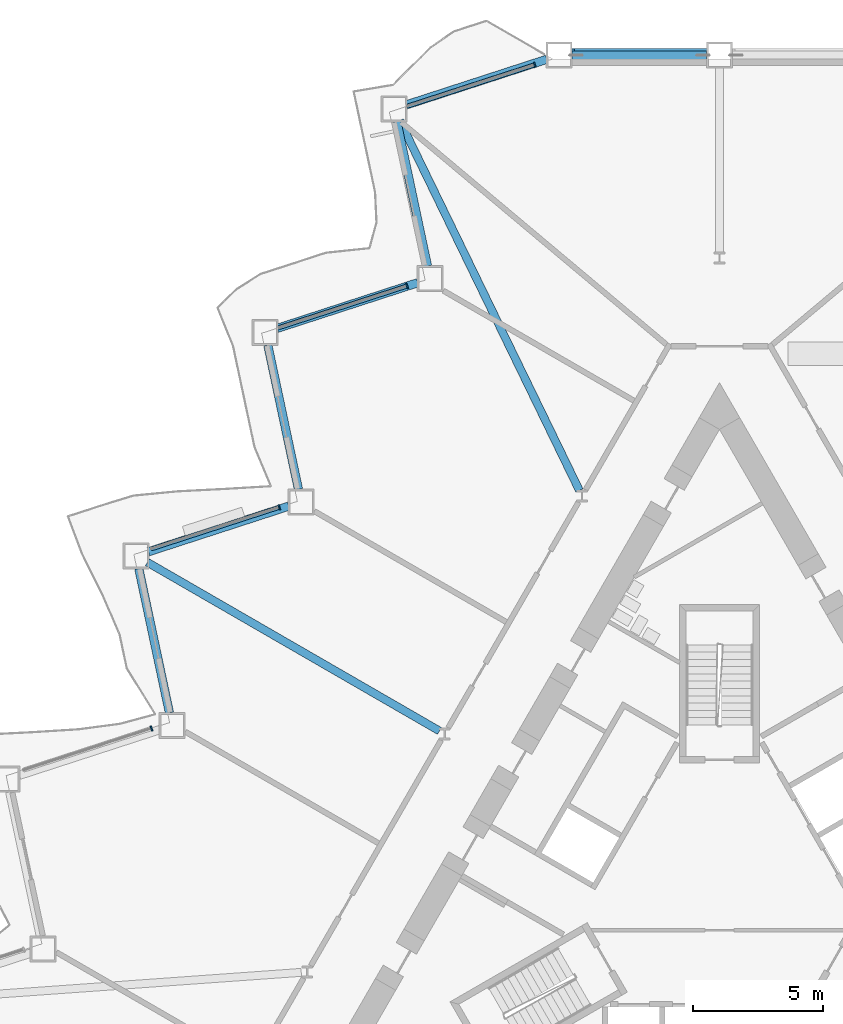
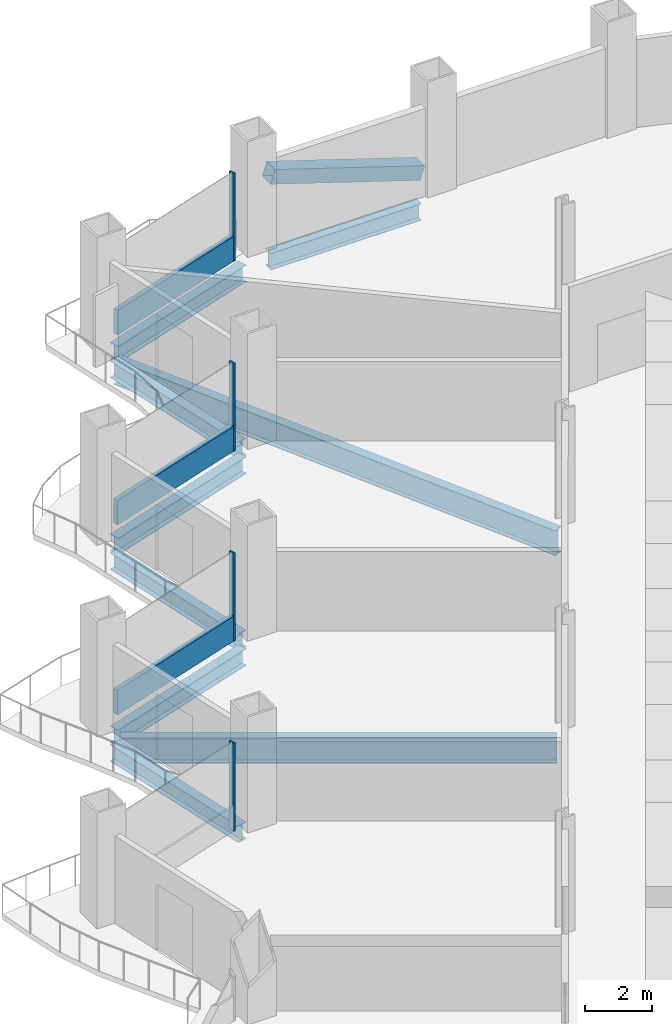
# One storey, part 6 of 21: 9 beams, 8 members, 4 elements without a shape of their own.
"""IFC4 building model written with IfcOpenShell, lengths in metres."""

from ifc_helpers import new_model, si_unit, direction, frame, origin, origin_2d, place, context, subcontext, project, spatial, rectangle, hollow_rectangle, i_section, extrude, material, layer, layer_set, material_profile, profile_set, type_object, element, aggregate, save


model = new_model("IFC4")

# Units and contexts
model_context = context("Model", 3, precision=1e-05, world=origin(), true_north=direction((0.0, 1.0)))
body_context = subcontext(model_context, "Body", "Model", "MODEL_VIEW")
ifc_project = project(units=[si_unit("LENGTHUNIT", "METRE"), si_unit("AREAUNIT", "SQUARE_METRE"), si_unit("VOLUMEUNIT", "CUBIC_METRE"), si_unit("PLANEANGLEUNIT", "RADIAN"), si_unit("MASSUNIT", "GRAM", prefix="KILO")], contexts=[model_context])

# Site, building, storey
site_placement = place(None, origin())
site = spatial("IfcSite", under=ifc_project, at=site_placement, CompositionType="ELEMENT")
building_placement = place(site_placement, origin())
building = spatial("IfcBuilding", under=site, at=building_placement, Name="Cormorant Prow Tower", CompositionType="ELEMENT")
storey_placement = place(building_placement, frame((0.0, 0.0, 67.800048828125)))
storey = spatial("IfcBuildingStorey", under=building, at=storey_placement, Name="L14", CompositionType="ELEMENT", Elevation=67.800048828125)

# Member
ifc_material_1 = material(Name="Structural steel ASTM A500 Gr C", Category="steel")
ifc_material_profile_1 = material_profile(ifc_material_1, hollow_rectangle(XDim=0.508056640625, YDim=0.508056640625, WallThickness=0.014892578125, at=origin_2d()), Name="HSS20x20x5/8")
ifc_profile_set_1 = profile_set([ifc_material_profile_1], Name="Structural steel ASTM A500 Gr C")
member_type_1 = type_object("IfcMemberType", Name="Chamfer brace HSS20x20x5/8", PredefinedType="BRACE", material=ifc_profile_set_1)
member_1_placement = place(storey_placement, frame((-0.518798828125, 32.233642578125, 0.76708984375), z_axis=(-0.951761092368, 0.0, 0.306840061033), x_axis=(0.0, -1.0, 0.0)))
element("IfcMember", 1, at=member_1_placement, inside=storey, type_object=member_type_1, Name="Chamfer brace BR1 at N01 L14", PredefinedType="BRACE", context=body_context, shape_type="SweptSolid", body=[
    extrude(hollow_rectangle(XDim=0.508056640625, YDim=0.508056640625, WallThickness=0.014892578125, at=origin_2d()), origin(), (0.0, 0.0, 1.0), 5.39208984375),
])

# Curtain wall, member
ifc_material_2 = material(Name="Aluminium 6063-T6", Category="aluminium")
ifc_layer = layer(ifc_material_2, 0.199951171875)
ifc_layer_set = layer_set([ifc_layer], Name="Aluminium 6063-T6")
curtain_wall_type = type_object("IfcCurtainWallType", Name="Office unitised curtain wall 200", PredefinedType="NOTDEFINED", material=ifc_layer_set)
curtain_wall_1_placement = place(storey_placement, origin())
curtain_wall_1 = element("IfcCurtainWall", 2, at=curtain_wall_1_placement, inside=storey, type_object=curtain_wall_type, Name="Office curtain wall WNW00", PredefinedType="NOTDEFINED")
ifc_material_3 = material(Name="Aluminium 6063-T6", Category="aluminium")
ifc_material_profile_2 = material_profile(ifc_material_3, rectangle(XDim=0.199951171875, YDim=0.06005859375, at=origin_2d()), Name="Office mullion 60x200")
ifc_profile_set_2 = profile_set([ifc_material_profile_2], Name="Aluminium 6063-T6")
member_type_2 = type_object("IfcMemberType", Name="Office mullion 60x200", PredefinedType="MULLION", material=ifc_profile_set_2)
member_2_placement = place(storey_placement, frame((-7.112060546875, 31.865478515625, 0.0), z_axis=(0.0, 0.0, 1.0), x_axis=(0.309016946636, -0.951056531806, 0.0)))
member_2 = element("IfcMember", 3, at=member_2_placement, type_object=member_type_2, Name="Office mullion WNW00", PredefinedType="MULLION", context=body_context, shape_type="SweptSolid", body=[
    extrude(rectangle(XDim=0.199951171875, YDim=0.06005859375, at=origin_2d()), origin(), (0.0, 0.0, 1.0), 3.18896484375),
])

curtain_wall_2_placement = place(storey_placement, origin())
curtain_wall_2 = element("IfcCurtainWall", 4, at=curtain_wall_2_placement, inside=storey, type_object=curtain_wall_type, Name="Office curtain wall WNW02", PredefinedType="NOTDEFINED")
member_3_placement = place(storey_placement, frame((-12.029052734375, 23.34912109375, 0.0), z_axis=(0.0, 0.0, 1.0), x_axis=(0.309016946636, -0.951056531806, 0.0)))
member_3 = element("IfcMember", 5, at=member_3_placement, type_object=member_type_2, Name="Office mullion WNW02", PredefinedType="MULLION", context=body_context, shape_type="SweptSolid", body=[
    extrude(rectangle(XDim=0.199951171875, YDim=0.06005859375, at=origin_2d()), origin(), (0.0, 0.0, 1.0), 3.18896484375),
])

curtain_wall_3_placement = place(storey_placement, origin())
curtain_wall_3 = element("IfcCurtainWall", 6, at=curtain_wall_3_placement, inside=storey, type_object=curtain_wall_type, Name="Office curtain wall WNW04", PredefinedType="NOTDEFINED")
member_4_placement = place(storey_placement, frame((-16.946044921875, 14.83251953125, 0.0), z_axis=(0.0, 0.0, 1.0), x_axis=(0.309016946636, -0.951056531806, 0.0)))
member_4 = element("IfcMember", 7, at=member_4_placement, type_object=member_type_2, Name="Office mullion WNW04", PredefinedType="MULLION", context=body_context, shape_type="SweptSolid", body=[
    extrude(rectangle(XDim=0.199951171875, YDim=0.06005859375, at=origin_2d()), origin(), (0.0, 0.0, 1.0), 3.18896484375),
])

curtain_wall_4_placement = place(storey_placement, origin())
curtain_wall_4 = element("IfcCurtainWall", 8, at=curtain_wall_4_placement, inside=storey, type_object=curtain_wall_type, Name="Office curtain wall WNW06", PredefinedType="NOTDEFINED")
member_5_placement = place(storey_placement, frame((-21.863037109375, 6.31591796875, 0.0), z_axis=(0.0, 0.0, 1.0), x_axis=(0.309016946636, -0.951056531806, 0.0)))
member_5 = element("IfcMember", 9, at=member_5_placement, type_object=member_type_2, Name="Office mullion WNW06", PredefinedType="MULLION", context=body_context, shape_type="SweptSolid", body=[
    extrude(rectangle(XDim=0.199951171875, YDim=0.06005859375, at=origin_2d()), origin(), (0.0, 0.0, 1.0), 3.18896484375),
])
aggregate(curtain_wall_4, [member_5])

# Member
ifc_material_4 = material(Name="Terracotta", Category="masonry")
ifc_material_profile_3 = material_profile(ifc_material_4, rectangle(XDim=0.159912109375, YDim=0.89990234375, at=origin_2d()), Name="Office terracotta spandrel rail 160x900")
ifc_profile_set_3 = profile_set([ifc_material_profile_3], Name="Terracotta")
member_type_3 = type_object("IfcMemberType", Name="Office terracotta spandrel rail 160x900", PredefinedType="USERDEFINED", material=ifc_profile_set_3)
member_6_placement = place(storey_placement, frame((-7.140625, 31.856201171875, 0.449951171875), z_axis=(-0.951059146206, -0.309008900225, 0.0), x_axis=(0.309008900225, -0.951059146206, 0.0)))
member_6 = element("IfcMember", 10, at=member_6_placement, type_object=member_type_3, Name="Office spandrel rail WNW00", ObjectType="TRANSOM", PredefinedType="USERDEFINED", context=body_context, shape_type="SweptSolid", body=[
    extrude(rectangle(XDim=0.159912109375, YDim=0.89990234375, at=origin_2d()), origin(), (0.0, 0.0, 1.0), 5.150390625),
])

aggregate(curtain_wall_1, [member_2, member_6])

member_7_placement = place(storey_placement, frame((-12.0576171875, 23.33984375, 0.449951171875), z_axis=(-0.951059146206, -0.309008900225, 0.0), x_axis=(0.309008900225, -0.951059146206, 0.0)))
member_7 = element("IfcMember", 11, at=member_7_placement, type_object=member_type_3, Name="Office spandrel rail WNW02", ObjectType="TRANSOM", PredefinedType="USERDEFINED", context=body_context, shape_type="SweptSolid", body=[
    extrude(rectangle(XDim=0.159912109375, YDim=0.89990234375, at=origin_2d()), origin(), (0.0, 0.0, 1.0), 5.150390625),
])

aggregate(curtain_wall_2, [member_3, member_7])

member_8_placement = place(storey_placement, frame((-16.974609375, 14.8232421875, 0.449951171875), z_axis=(-0.951059146206, -0.309008900225, 0.0), x_axis=(0.309008900225, -0.951059146206, 0.0)))
member_8 = element("IfcMember", 12, at=member_8_placement, type_object=member_type_3, Name="Office spandrel rail WNW04", ObjectType="TRANSOM", PredefinedType="USERDEFINED", context=body_context, shape_type="SweptSolid", body=[
    extrude(rectangle(XDim=0.159912109375, YDim=0.89990234375, at=origin_2d()), origin(), (0.0, 0.0, 1.0), 5.150390625),
])

aggregate(curtain_wall_3, [member_4, member_8])

# Beams
ifc_material_5 = material(Name="Structural steel ASTM A992 Gr 50", Category="steel")
ifc_material_profile_4 = material_profile(ifc_material_5, i_section(OverallWidth=0.3046875, OverallDepth=0.914794921875, WebThickness=0.0166015625, FlangeThickness=0.02587890625, at=origin_2d()), Name="W36x160")
ifc_profile_set_4 = profile_set([ifc_material_profile_4], Name="Structural steel ASTM A992 Gr 50")
beam_type_1 = type_object("IfcBeamType", Name="Radial floor beam W36x160", PredefinedType="BEAM", material=ifc_profile_set_4)
beam_1_placement = place(storey_placement, frame((-5.390625, 15.4775390625, -0.857421875), z_axis=(-0.436839436813, 0.899539496879, 0.0), x_axis=(-0.899539496879, -0.436839436813, 0.0)))
element("IfcBeam", 13, at=beam_1_placement, inside=storey, type_object=beam_type_1, Name="Radial floor beam FB1 2 L14", PredefinedType="BEAM", context=body_context, shape_type="SweptSolid", body=[
    extrude(i_section(OverallWidth=0.3046875, OverallDepth=0.914794921875, WebThickness=0.0166015625, FlangeThickness=0.02587890625, at=origin_2d()), origin(), (0.0, 0.0, 1.0), 15.83203125),
])
beam_2_placement = place(storey_placement, frame((-10.779541015625, 6.2236328125, -0.857421875), z_axis=(-0.866030278318, 0.499991556966, 0.0), x_axis=(-0.499991556966, -0.866030278318, 0.0)))
element("IfcBeam", 14, at=beam_2_placement, inside=storey, type_object=beam_type_1, Name="Radial floor beam FB1 3 L14", PredefinedType="BEAM", context=body_context, shape_type="SweptSolid", body=[
    extrude(i_section(OverallWidth=0.3046875, OverallDepth=0.914794921875, WebThickness=0.0166015625, FlangeThickness=0.02587890625, at=origin_2d()), origin(), (0.0, 0.0, 1.0), 12.984130859375),
])
ifc_material_6 = material(Name="Structural steel ASTM A992 Gr 50", Category="steel")
ifc_material_profile_5 = material_profile(ifc_material_6, i_section(OverallWidth=0.32373046875, OverallDepth=0.611083984375, WebThickness=0.0126953125, FlangeThickness=0.01904296875, at=origin_2d()), Name="W24x104")
ifc_profile_set_5 = profile_set([ifc_material_profile_5], Name="Structural steel ASTM A992 Gr 50")
beam_type_2 = type_object("IfcBeamType", Name="Spandrel beam W24x104", PredefinedType="SPANDREL", material=ifc_profile_set_5)
beam_3_placement = place(storey_placement, frame((-0.5, 32.233642578125, -0.70556640625), z_axis=(-1.0, 0.0, 0.0), x_axis=(0.0, -1.0, 0.0)))
element("IfcBeam", 15, at=beam_3_placement, inside=storey, type_object=beam_type_2, Name="Spandrel beam SB1 N01-WNW00 L14", PredefinedType="SPANDREL", context=body_context, shape_type="SweptSolid", body=[
    extrude(i_section(OverallWidth=0.32373046875, OverallDepth=0.611083984375, WebThickness=0.0126953125, FlangeThickness=0.01904296875, at=origin_2d()), origin(), (0.0, 0.0, 1.0), 5.169677734375),
])
beam_4_placement = place(storey_placement, frame((-6.645263671875, 32.0791015625, -0.70556640625), z_axis=(-0.951061849722, -0.309000579292, 0.0), x_axis=(0.309000579292, -0.951061849722, 0.0)))
element("IfcBeam", 16, at=beam_4_placement, inside=storey, type_object=beam_type_2, Name="Spandrel beam SB1 WNW00-WNW01 L14", PredefinedType="SPANDREL", context=body_context, shape_type="SweptSolid", body=[
    extrude(i_section(OverallWidth=0.32373046875, OverallDepth=0.611083984375, WebThickness=0.0126953125, FlangeThickness=0.01904296875, at=origin_2d()), origin(), (0.0, 0.0, 1.0), 5.682373046875),
])
beam_5_placement = place(storey_placement, frame((-12.421142578125, 29.6796875, -0.70556640625), z_axis=(0.207900376723, -0.97815000555, 0.0), x_axis=(0.97815000555, 0.207900376723, 0.0)))
element("IfcBeam", 17, at=beam_5_placement, inside=storey, type_object=beam_type_2, Name="Spandrel beam SB1 WNW01-WNW02 L14", PredefinedType="SPANDREL", context=body_context, shape_type="SweptSolid", body=[
    extrude(i_section(OverallWidth=0.32373046875, OverallDepth=0.611083984375, WebThickness=0.0126953125, FlangeThickness=0.01904296875, at=origin_2d()), origin(), (0.0, 0.0, 1.0), 5.6826171875),
])
beam_6_placement = place(storey_placement, frame((-11.611328125, 23.477783203125, -0.70556640625), z_axis=(-0.951049222751, -0.309039440696, 0.0), x_axis=(0.309039440696, -0.951049222751, 0.0)))
element("IfcBeam", 18, at=beam_6_placement, inside=storey, type_object=beam_type_2, Name="Spandrel beam SB1 WNW02-WNW03 L14", PredefinedType="SPANDREL", context=body_context, shape_type="SweptSolid", body=[
    extrude(i_section(OverallWidth=0.32373046875, OverallDepth=0.611083984375, WebThickness=0.0126953125, FlangeThickness=0.01904296875, at=origin_2d()), origin(), (0.0, 0.0, 1.0), 5.682373046875),
])
beam_7_placement = place(storey_placement, frame((-17.38720703125, 21.078125, -0.70556640625), z_axis=(0.207900376723, -0.97815000555, 0.0), x_axis=(0.97815000555, 0.207900376723, 0.0)))
element("IfcBeam", 19, at=beam_7_placement, inside=storey, type_object=beam_type_2, Name="Spandrel beam SB1 WNW03-WNW04 L14", PredefinedType="SPANDREL", context=body_context, shape_type="SweptSolid", body=[
    extrude(i_section(OverallWidth=0.32373046875, OverallDepth=0.611083984375, WebThickness=0.0126953125, FlangeThickness=0.01904296875, at=origin_2d()), origin(), (0.0, 0.0, 1.0), 5.6826171875),
])
beam_8_placement = place(storey_placement, frame((-16.577392578125, 14.876220703125, -0.70556640625), z_axis=(-0.951049222751, -0.309039440696, 0.0), x_axis=(0.309039440696, -0.951049222751, 0.0)))
element("IfcBeam", 20, at=beam_8_placement, inside=storey, type_object=beam_type_2, Name="Spandrel beam SB1 WNW04-WNW05 L14", PredefinedType="SPANDREL", context=body_context, shape_type="SweptSolid", body=[
    extrude(i_section(OverallWidth=0.32373046875, OverallDepth=0.611083984375, WebThickness=0.0126953125, FlangeThickness=0.01904296875, at=origin_2d()), origin(), (0.0, 0.0, 1.0), 5.682373046875),
])
beam_9_placement = place(storey_placement, frame((-22.353271484375, 12.4765625, -0.70556640625), z_axis=(0.207900376723, -0.97815000555, 0.0), x_axis=(0.97815000555, 0.207900376723, 0.0)))
element("IfcBeam", 21, at=beam_9_placement, inside=storey, type_object=beam_type_2, Name="Spandrel beam SB1 WNW05-WNW06 L14", PredefinedType="SPANDREL", context=body_context, shape_type="SweptSolid", body=[
    extrude(i_section(OverallWidth=0.32373046875, OverallDepth=0.611083984375, WebThickness=0.0126953125, FlangeThickness=0.01904296875, at=origin_2d()), origin(), (0.0, 0.0, 1.0), 5.6826171875),
])

save(model, "model.ifc")
